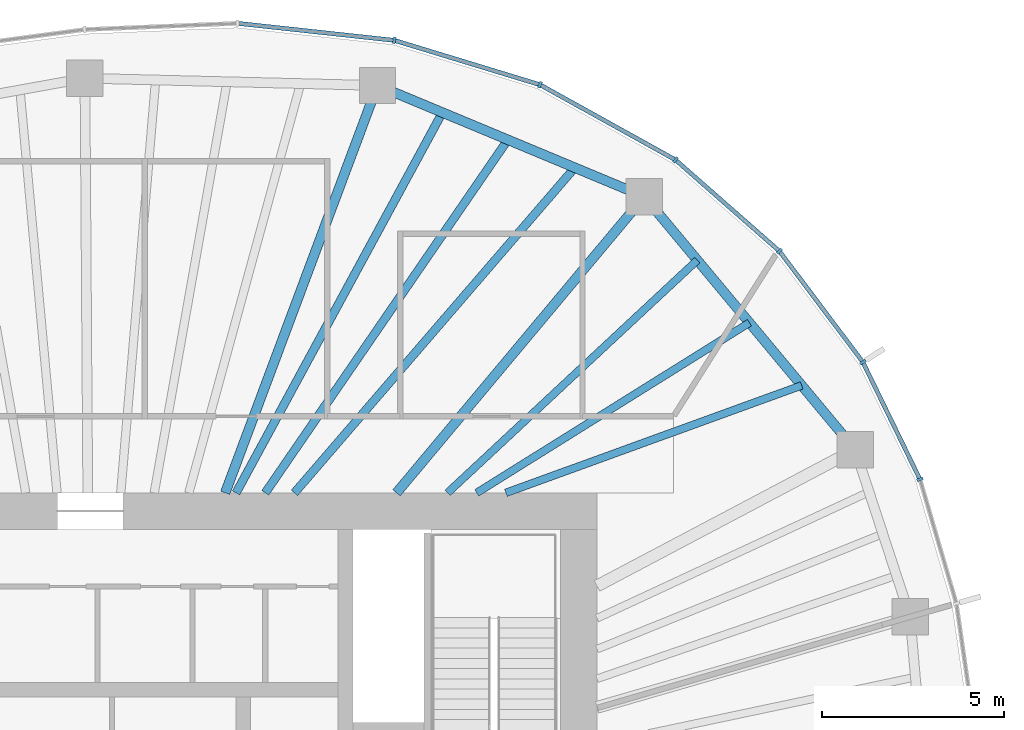
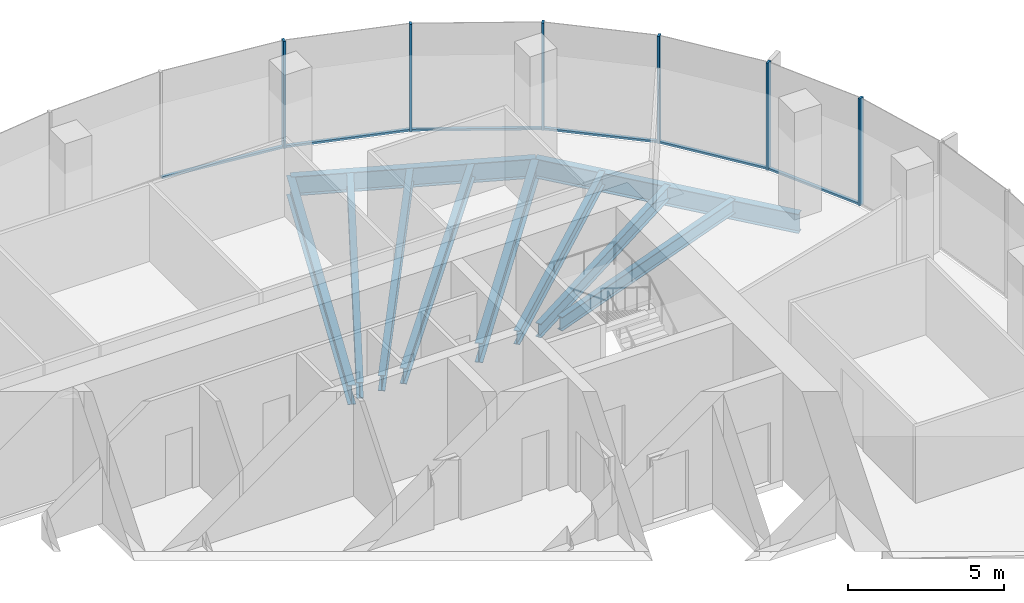
# One storey, part 6 of 11: 12 members, 10 beams, 4 elements without a shape of their own.
"""IFC4 building model written with IfcOpenShell, lengths in metres."""

from ifc_helpers import new_model, si_unit, direction, frame, origin, origin_2d, place, context, subcontext, project, spatial, rectangle, i_section, extrude, material, material_profile, profile_set, type_object, element, aggregate, save


model = new_model("IFC4")

# Units and contexts
model_context = context("Model", 3, precision=1e-05, world=origin(), true_north=direction((0.0, 1.0)))
body_context = subcontext(model_context, "Body", "Model", "MODEL_VIEW")
ifc_project = project(units=[si_unit("LENGTHUNIT", "METRE"), si_unit("AREAUNIT", "SQUARE_METRE"), si_unit("VOLUMEUNIT", "CUBIC_METRE"), si_unit("PLANEANGLEUNIT", "RADIAN"), si_unit("MASSUNIT", "GRAM", prefix="KILO")], contexts=[model_context])

# Site, building, storey
site_placement = place(None, origin())
site = spatial("IfcSite", under=ifc_project, at=site_placement, CompositionType="ELEMENT")
building_placement = place(site_placement, origin())
building = spatial("IfcBuilding", under=site, at=building_placement, Name="Ghaith Harvest Tower", CompositionType="ELEMENT")
storey_placement = place(building_placement, frame((0.0, 0.0, 309.0)))
storey = spatial("IfcBuildingStorey", under=building, at=storey_placement, Name="L69", CompositionType="ELEMENT", Elevation=309.0)

# Curtain wall, member
ifc_material_1 = material(Name="Black anodised aluminium and fritted glass", Category="aluminium")
curtain_wall_type = type_object("IfcCurtainWallType", Name="CW-T CURTAIN WALL", PredefinedType="NOTDEFINED", material=ifc_material_1)
curtain_wall_1_placement = place(storey_placement, origin())
curtain_wall_1 = element("IfcCurtainWall", 1, at=curtain_wall_1_placement, inside=storey, type_object=curtain_wall_type, Name="Curtain wall CW-T bay 02 L69", PredefinedType="NOTDEFINED")
ifc_material_2 = material(Name="Aluminium, black anodised", Category="aluminium")
ifc_material_profile_1 = material_profile(ifc_material_2, rectangle(XDim=0.080078125, YDim=0.179931640625, at=origin_2d()), Name="CW-T MULLION 80x180")
ifc_profile_set_1 = profile_set([ifc_material_profile_1], Name="Aluminium, black anodised")
member_type_1 = type_object("IfcMemberType", Name="CW-T MULLION 80x180", PredefinedType="MULLION", material=ifc_profile_set_1)
member_1_placement = place(storey_placement, frame((22.754150390625, 10.272216796875, 0.0), z_axis=(0.0, 0.0, 1.0), x_axis=(-0.361184273709, 0.932494461338, 0.0)))
member_1 = element("IfcMember", 2, at=member_1_placement, type_object=member_type_1, Name="CW-T mullion 2 bay 02 L69", PredefinedType="MULLION", context=body_context, shape_type="SweptSolid", body=[
    extrude(rectangle(XDim=0.080078125, YDim=0.179931640625, at=origin_2d()), origin(), (0.0, 0.0, 1.0), 4.199951171875),
])

# Curtain wall, members
curtain_wall_2_placement = place(storey_placement, origin())
curtain_wall_2 = element("IfcCurtainWall", 3, at=curtain_wall_2_placement, inside=storey, type_object=curtain_wall_type, Name="Curtain wall CW-T bay 03 L69", PredefinedType="NOTDEFINED")
member_2_placement = place(storey_placement, frame((21.18896484375, 13.48486328125, 0.0), z_axis=(0.0, 0.0, 1.0), x_axis=(-0.524482238522, 0.851421388899, 0.0)))
member_2 = element("IfcMember", 4, at=member_2_placement, type_object=member_type_1, Name="CW-T mullion 1 bay 03 L69", PredefinedType="MULLION", context=body_context, shape_type="SweptSolid", body=[
    extrude(rectangle(XDim=0.080078125, YDim=0.179931640625, at=origin_2d()), origin(), (0.0, 0.0, 1.0), 4.199951171875),
])
member_3_placement = place(storey_placement, frame((18.901123046875, 16.527099609375, 0.0), z_axis=(0.0, 0.0, 1.0), x_axis=(-0.679660897075, 0.733526458274, 0.0)))
member_3 = element("IfcMember", 5, at=member_3_placement, type_object=member_type_1, Name="CW-T mullion 2 bay 03 L69", PredefinedType="MULLION", context=body_context, shape_type="SweptSolid", body=[
    extrude(rectangle(XDim=0.080078125, YDim=0.179931640625, at=origin_2d()), origin(), (0.0, 0.0, 1.0), 4.199951171875),
])

curtain_wall_3_placement = place(storey_placement, origin())
curtain_wall_3 = element("IfcCurtainWall", 6, at=curtain_wall_3_placement, inside=storey, type_object=curtain_wall_type, Name="Curtain wall CW-T bay 04 L69", PredefinedType="NOTDEFINED")
member_4_placement = place(storey_placement, frame((16.04931640625, 19.031982421875, 0.0), z_axis=(0.0, 0.0, 1.0), x_axis=(-0.821112053873, 0.570767023385, 0.0)))
member_4 = element("IfcMember", 7, at=member_4_placement, type_object=member_type_1, Name="CW-T mullion 1 bay 04 L69", PredefinedType="MULLION", context=body_context, shape_type="SweptSolid", body=[
    extrude(rectangle(XDim=0.080078125, YDim=0.179931640625, at=origin_2d()), origin(), (0.0, 0.0, 1.0), 4.199951171875),
])
member_5_placement = place(storey_placement, frame((12.334228515625, 21.091796875, 0.0), z_axis=(0.0, 0.0, 1.0), x_axis=(-0.920319269246, 0.391168049123, 0.0)))
member_5 = element("IfcMember", 8, at=member_5_placement, type_object=member_type_1, Name="CW-T mullion 2 bay 04 L69", PredefinedType="MULLION", context=body_context, shape_type="SweptSolid", body=[
    extrude(rectangle(XDim=0.080078125, YDim=0.179931640625, at=origin_2d()), origin(), (0.0, 0.0, 1.0), 4.199951171875),
])

# Curtain wall, member
curtain_wall_4_placement = place(storey_placement, origin())
curtain_wall_4 = element("IfcCurtainWall", 9, at=curtain_wall_4_placement, inside=storey, type_object=curtain_wall_type, Name="Curtain wall CW-T bay 05 L69", PredefinedType="NOTDEFINED")
member_6_placement = place(storey_placement, frame((8.33984375, 22.308837890625, 0.0), z_axis=(0.0, 0.0, 1.0), x_axis=(-0.980000193436, 0.198996534809, 0.0)))
member_6 = element("IfcMember", 10, at=member_6_placement, type_object=member_type_1, Name="CW-T mullion 1 bay 05 L69", PredefinedType="MULLION", context=body_context, shape_type="SweptSolid", body=[
    extrude(rectangle(XDim=0.080078125, YDim=0.179931640625, at=origin_2d()), origin(), (0.0, 0.0, 1.0), 4.199951171875),
])

# Member
ifc_material_3 = material(Name="Aluminium, black anodised", Category="aluminium")
ifc_material_profile_2 = material_profile(ifc_material_3, rectangle(XDim=0.1201171875, YDim=0.080078125, at=origin_2d()), Name="CW-T TRANSOM 120x80")
ifc_profile_set_2 = profile_set([ifc_material_profile_2], Name="Aluminium, black anodised")
member_type_2 = type_object("IfcMemberType", Name="CW-T TRANSOM 120x80", PredefinedType="USERDEFINED", material=ifc_profile_set_2)
member_7_placement = place(storey_placement, frame((22.736572265625, 10.308349609375, 0.0400390625), z_axis=(-0.437965078712, 0.898991985408, 0.0), x_axis=(-0.898991985408, -0.437965078712, 0.0)))
member_7 = element("IfcMember", 11, at=member_7_placement, type_object=member_type_2, Name="CW-T transom 2 bay 02 L69", ObjectType="TRANSOM", PredefinedType="USERDEFINED", context=body_context, shape_type="SweptSolid", body=[
    extrude(rectangle(XDim=0.1201171875, YDim=0.080078125, at=origin_2d()), origin(), (0.0, 0.0, 1.0), 3.493408203125),
])

aggregate(curtain_wall_1, [member_1, member_7])

member_8_placement = place(storey_placement, frame((21.1650390625, 13.516845703125, 0.0400390625), z_axis=(-0.601079103045, 0.799189534392, 0.0), x_axis=(-0.799189534392, -0.601079103045, 0.0)))
member_8 = element("IfcMember", 12, at=member_8_placement, type_object=member_type_2, Name="CW-T transom 1 bay 03 L69", ObjectType="TRANSOM", PredefinedType="USERDEFINED", context=body_context, shape_type="SweptSolid", body=[
    extrude(rectangle(XDim=0.1201171875, YDim=0.080078125, at=origin_2d()), origin(), (0.0, 0.0, 1.0), 3.7265625),
])

member_9_placement = place(storey_placement, frame((18.87109375, 16.553466796875, 0.0400390625), z_axis=(-0.751325799984, 0.659931467865, 0.0), x_axis=(-0.659931467865, -0.751325799984, 0.0)))
member_9 = element("IfcMember", 13, at=member_9_placement, type_object=member_type_2, Name="CW-T transom 2 bay 03 L69", ObjectType="TRANSOM", PredefinedType="USERDEFINED", context=body_context, shape_type="SweptSolid", body=[
    extrude(rectangle(XDim=0.1201171875, YDim=0.080078125, at=origin_2d()), origin(), (0.0, 0.0, 1.0), 3.7158203125),
])

aggregate(curtain_wall_2, [member_2, member_8, member_3, member_9])

member_10_placement = place(storey_placement, frame((16.01416015625, 19.051513671875, 0.0400390625), z_axis=(-0.874552130553, 0.484931511603, 0.0), x_axis=(-0.484931511603, -0.874552130553, 0.0)))
member_10 = element("IfcMember", 14, at=member_10_placement, type_object=member_type_2, Name="CW-T transom 1 bay 04 L69", ObjectType="TRANSOM", PredefinedType="USERDEFINED", context=body_context, shape_type="SweptSolid", body=[
    extrude(rectangle(XDim=0.1201171875, YDim=0.080078125, at=origin_2d()), origin(), (0.0, 0.0, 1.0), 4.16748046875),
])

member_11_placement = place(storey_placement, frame((12.296142578125, 21.103515625, 0.0400390625), z_axis=(-0.956593713342, 0.291424891858, 0.0), x_axis=(-0.291424891858, -0.956593713342, 0.0)))
member_11 = element("IfcMember", 15, at=member_11_placement, type_object=member_type_2, Name="CW-T transom 2 bay 04 L69", ObjectType="TRANSOM", PredefinedType="USERDEFINED", context=body_context, shape_type="SweptSolid", body=[
    extrude(rectangle(XDim=0.1201171875, YDim=0.080078125, at=origin_2d()), origin(), (0.0, 0.0, 1.0), 4.095703125),
])

aggregate(curtain_wall_3, [member_4, member_10, member_5, member_11])

member_12_placement = place(storey_placement, frame((8.300048828125, 22.313232421875, 0.0400390625), z_axis=(-0.994144463069, 0.108059180768, 0.0), x_axis=(-0.108059180768, -0.994144463069, 0.0)))
member_12 = element("IfcMember", 16, at=member_12_placement, type_object=member_type_2, Name="CW-T transom 1 bay 05 L69", ObjectType="TRANSOM", PredefinedType="USERDEFINED", context=body_context, shape_type="SweptSolid", body=[
    extrude(rectangle(XDim=0.1201171875, YDim=0.080078125, at=origin_2d()), origin(), (0.0, 0.0, 1.0), 4.24755859375),
])

aggregate(curtain_wall_4, [member_6, member_12])

# Beams
ifc_material_4 = material(Name="Steel ASTM A992 Grade 50", Category="steel")
ifc_material_profile_3 = material_profile(ifc_material_4, i_section(OverallWidth=0.26611328125, OverallDepth=0.758056640625, WebThickness=0.013916015625, FlangeThickness=0.019287109375, at=origin_2d()), Name="W760X161")
ifc_profile_set_3 = profile_set([ifc_material_profile_3], Name="Steel ASTM A992 Grade 50")
beam_type_1 = type_object("IfcBeamType", Name="E760-161 W760X161", PredefinedType="SPANDREL", material=ifc_profile_set_3)
beam_1_placement = place(storey_placement, frame((20.97705078125, 11.087890625, -0.549072265625), z_axis=(-0.640173759088, 0.76823014662, 0.0), x_axis=(-0.76823014662, -0.640173759088, 0.0)))
element("IfcBeam", 17, at=beam_1_placement, inside=storey, type_object=beam_type_1, Name="Edge beam E03 L69", PredefinedType="SPANDREL", context=body_context, shape_type="SweptSolid", body=[
    extrude(i_section(OverallWidth=0.26611328125, OverallDepth=0.758056640625, WebThickness=0.013916015625, FlangeThickness=0.019287109375, at=origin_2d()), origin(), (0.0, 0.0, 1.0), 9.02734375),
])
beam_2_placement = place(storey_placement, frame((15.197998046875, 18.02294921875, -0.549072265625), z_axis=(-0.923119729219, 0.384512633766, 0.0), x_axis=(-0.384512633766, -0.923119729219, 0.0)))
element("IfcBeam", 18, at=beam_2_placement, inside=storey, type_object=beam_type_1, Name="Edge beam E04 L69", PredefinedType="SPANDREL", context=body_context, shape_type="SweptSolid", body=[
    extrude(i_section(OverallWidth=0.26611328125, OverallDepth=0.758056640625, WebThickness=0.013916015625, FlangeThickness=0.019287109375, at=origin_2d()), origin(), (0.0, 0.0, 1.0), 7.9296875),
])
ifc_material_5 = material(Name="Steel ASTM A992 Grade 50", Category="steel")
ifc_material_profile_4 = material_profile(ifc_material_5, i_section(OverallWidth=0.26611328125, OverallDepth=0.758056640625, WebThickness=0.013916015625, FlangeThickness=0.019287109375, at=origin_2d()), Name="W760X161")
ifc_profile_set_4 = profile_set([ifc_material_profile_4], Name="Steel ASTM A992 Grade 50")
beam_type_2 = type_object("IfcBeamType", Name="G760-161 W760X161", PredefinedType="BEAM", material=ifc_profile_set_4)
beam_3_placement = place(storey_placement, frame((8.39990234375, 9.89990234375, -0.549072265625), z_axis=(0.641792628883, 0.766878231215, 0.0), x_axis=(-0.766878231215, 0.641792628883, 0.0)))
element("IfcBeam", 19, at=beam_3_placement, inside=storey, type_object=beam_type_2, Name="Radial girder G04 L69", PredefinedType="BEAM", context=body_context, shape_type="SweptSolid", body=[
    extrude(i_section(OverallWidth=0.26611328125, OverallDepth=0.758056640625, WebThickness=0.013916015625, FlangeThickness=0.019287109375, at=origin_2d()), origin(), (0.0, 0.0, 1.0), 10.59228515625),
])
beam_4_placement = place(storey_placement, frame((3.700927734375, 9.89990234375, -0.549072265625), z_axis=(0.350201332531, 0.936674450753, 0.0), x_axis=(-0.936674450753, 0.350201332531, 0.0)))
element("IfcBeam", 20, at=beam_4_placement, inside=storey, type_object=beam_type_2, Name="Radial girder G05 L69", PredefinedType="BEAM", context=body_context, shape_type="SweptSolid", body=[
    extrude(i_section(OverallWidth=0.26611328125, OverallDepth=0.758056640625, WebThickness=0.013916015625, FlangeThickness=0.019287109375, at=origin_2d()), origin(), (0.0, 0.0, 1.0), 11.927490234375),
])
ifc_material_6 = material(Name="Steel ASTM A992 Grade 50", Category="steel")
ifc_material_profile_5 = material_profile(ifc_material_6, i_section(OverallWidth=0.2109375, OverallDepth=0.5390625, WebThickness=0.01171875, FlangeThickness=0.018798828125, at=origin_2d()), Name="W530X109")
ifc_profile_set_5 = profile_set([ifc_material_profile_5], Name="Steel ASTM A992 Grade 50")
beam_type_3 = type_object("IfcBeamType", Name="J530-109 W530X109", PredefinedType="JOIST", material=ifc_profile_set_5)
beam_5_placement = place(storey_placement, frame((11.39990234375, 9.89990234375, -0.439453125), z_axis=(0.939925501564, 0.341379629605, 0.0), x_axis=(-0.341379629605, 0.939925501564, 0.0)))
element("IfcBeam", 21, at=beam_5_placement, inside=storey, type_object=beam_type_3, Name="Joist J03.1 L69", PredefinedType="JOIST", context=body_context, shape_type="SweptSolid", body=[
    extrude(i_section(OverallWidth=0.2109375, OverallDepth=0.5390625, WebThickness=0.01171875, FlangeThickness=0.018798828125, at=origin_2d()), origin(), (0.0, 0.0, 1.0), 8.630615234375),
])
beam_6_placement = place(storey_placement, frame((10.60009765625, 9.89990234375, -0.439453125), z_axis=(0.84837619421, 0.52939383553, 0.0), x_axis=(-0.52939383553, 0.84837619421, 0.0)))
element("IfcBeam", 22, at=beam_6_placement, inside=storey, type_object=beam_type_3, Name="Joist J03.2 L69", PredefinedType="JOIST", context=body_context, shape_type="SweptSolid", body=[
    extrude(i_section(OverallWidth=0.2109375, OverallDepth=0.5390625, WebThickness=0.01171875, FlangeThickness=0.018798828125, at=origin_2d()), origin(), (0.0, 0.0, 1.0), 8.814697265625),
])
beam_7_placement = place(storey_placement, frame((9.800048828125, 9.89990234375, -0.439453125), z_axis=(0.73164904944, 0.681681500742, 0.0), x_axis=(-0.681681500742, 0.73164904944, 0.0)))
element("IfcBeam", 23, at=beam_7_placement, inside=storey, type_object=beam_type_3, Name="Joist J03.3 L69", PredefinedType="JOIST", context=body_context, shape_type="SweptSolid", body=[
    extrude(i_section(OverallWidth=0.2109375, OverallDepth=0.5390625, WebThickness=0.01171875, FlangeThickness=0.018798828125, at=origin_2d()), origin(), (0.0, 0.0, 1.0), 9.361572265625),
])
ifc_material_7 = material(Name="Steel ASTM A992 Grade 50", Category="steel")
ifc_material_profile_6 = material_profile(ifc_material_7, i_section(OverallWidth=0.22998046875, OverallDepth=0.616943359375, WebThickness=0.01318359375, FlangeThickness=0.022216796875, at=origin_2d()), Name="W610X140")
ifc_profile_set_6 = profile_set([ifc_material_profile_6], Name="Steel ASTM A992 Grade 50")
beam_type_4 = type_object("IfcBeamType", Name="J610-140 W610X140", PredefinedType="JOIST", material=ifc_profile_set_6)
beam_8_placement = place(storey_placement, frame((5.60009765625, 9.89990234375, -0.478515625), z_axis=(0.652992938501, 0.757363995888, 0.0), x_axis=(-0.757363995888, 0.652992938501, 0.0)))
element("IfcBeam", 24, at=beam_8_placement, inside=storey, type_object=beam_type_4, Name="Joist J04.1 L69", PredefinedType="JOIST", context=body_context, shape_type="SweptSolid", body=[
    extrude(i_section(OverallWidth=0.22998046875, OverallDepth=0.616943359375, WebThickness=0.01318359375, FlangeThickness=0.022216796875, at=origin_2d()), origin(), (0.0, 0.0, 1.0), 11.775390625),
])
beam_9_placement = place(storey_placement, frame((4.800048828125, 9.89990234375, -0.478515625), z_axis=(0.566228035119, 0.824248634967, 0.0), x_axis=(-0.824248634967, 0.566228035119, 0.0)))
element("IfcBeam", 25, at=beam_9_placement, inside=storey, type_object=beam_type_4, Name="Joist J04.2 L69", PredefinedType="JOIST", context=body_context, shape_type="SweptSolid", body=[
    extrude(i_section(OverallWidth=0.22998046875, OverallDepth=0.616943359375, WebThickness=0.01318359375, FlangeThickness=0.022216796875, at=origin_2d()), origin(), (0.0, 0.0, 1.0), 11.748046875),
])
beam_10_placement = place(storey_placement, frame((4.0, 9.89990234375, -0.478515625), z_axis=(0.476764926531, 0.879030832696, 0.0), x_axis=(-0.879030832696, 0.476764926531, 0.0)))
element("IfcBeam", 26, at=beam_10_placement, inside=storey, type_object=beam_type_4, Name="Joist J04.3 L69", PredefinedType="JOIST", context=body_context, shape_type="SweptSolid", body=[
    extrude(i_section(OverallWidth=0.22998046875, OverallDepth=0.616943359375, WebThickness=0.01318359375, FlangeThickness=0.022216796875, at=origin_2d()), origin(), (0.0, 0.0, 1.0), 11.866455078125),
])

save(model, "model.ifc")
